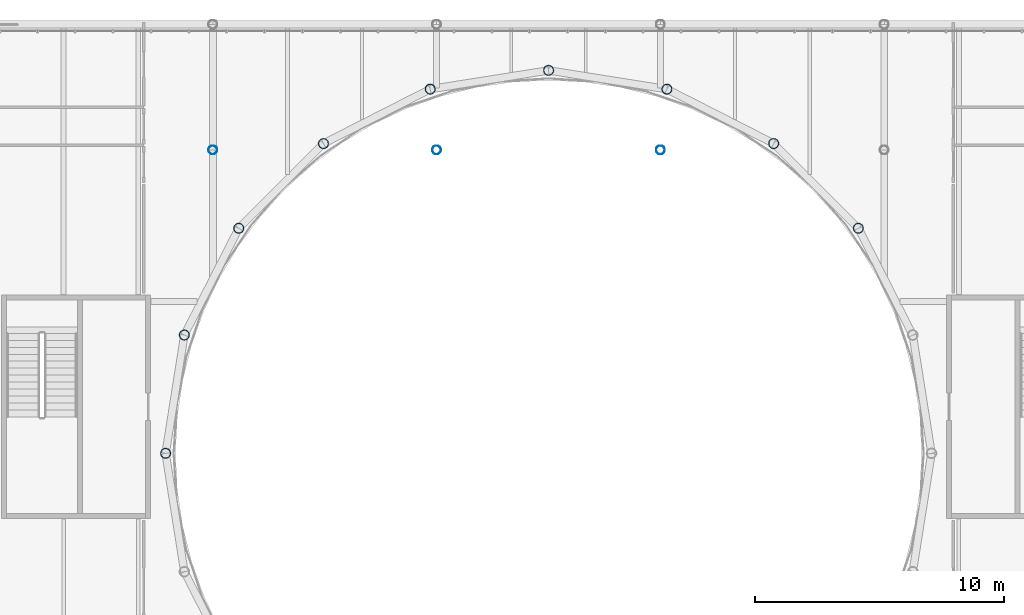
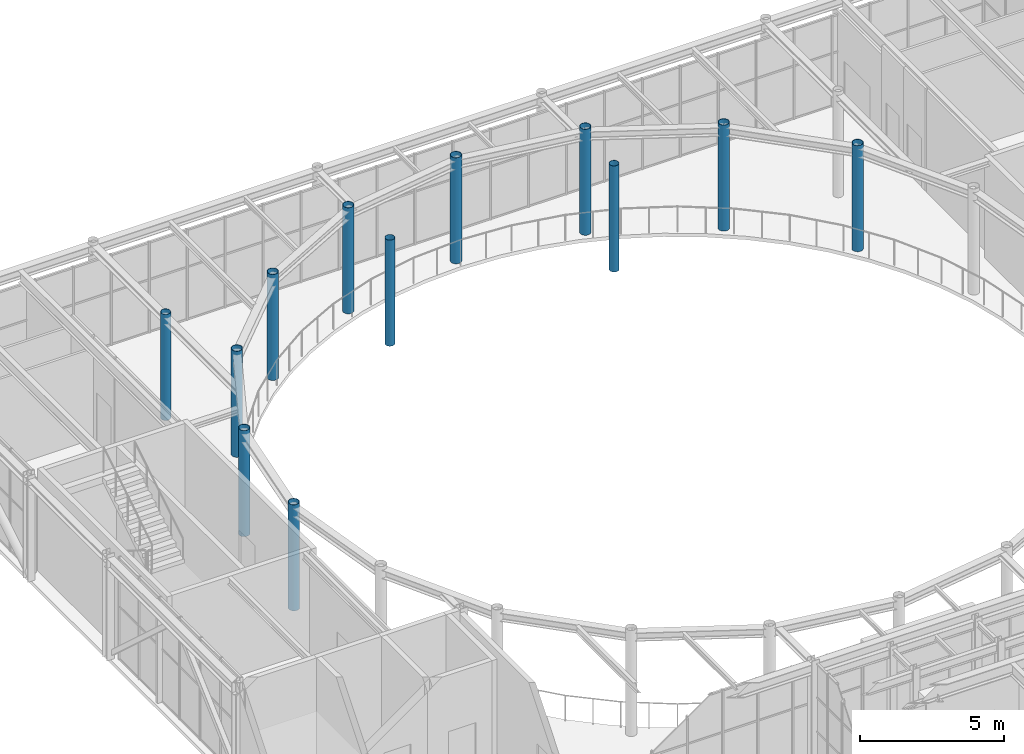
# One storey, part 11 of 111: 12 columns.
"""IFC4 building model written with IfcOpenShell, lengths in metres."""

from ifc_helpers import new_model, si_unit, direction, frame, origin, origin_2d, place, context, subcontext, project, spatial, hollow_circle, extrude, material, material_profile, profile_set, type_object, element, save


model = new_model("IFC4")

# Units and contexts
model_context = context("Model", 3, precision=1e-05, world=origin(), true_north=direction((0.0, 1.0)))
body_context = subcontext(model_context, "Body", "Model", "MODEL_VIEW")
ifc_project = project(units=[si_unit("LENGTHUNIT", "METRE"), si_unit("AREAUNIT", "SQUARE_METRE"), si_unit("VOLUMEUNIT", "CUBIC_METRE"), si_unit("PLANEANGLEUNIT", "RADIAN"), si_unit("MASSUNIT", "GRAM", prefix="KILO")], contexts=[model_context])

# Site, building, storey
site_placement = place(None, origin())
site = spatial("IfcSite", under=ifc_project, at=site_placement, CompositionType="ELEMENT")
building_placement = place(site_placement, origin())
building = spatial("IfcBuilding", under=site, at=building_placement, Name="Kallimachos Central Library", CompositionType="ELEMENT")
storey_placement = place(building_placement, frame((0.0, 0.0, 14.39990234375)))
storey = spatial("IfcBuildingStorey", under=building, at=storey_placement, Name="L03", CompositionType="ELEMENT", Elevation=14.39990234375)

# Columns
ifc_material_1 = material(Name="Steel S355J2H", Category="steel")
ifc_material_profile_1 = material_profile(ifc_material_1, hollow_circle(Radius=0.177734375, WallThickness=0.008056640625, at=origin_2d()), Name="CHS 355.6x8")
ifc_profile_set_1 = profile_set([ifc_material_profile_1], Name="Steel S355J2H")
column_type_1 = type_object("IfcColumnType", Name="CHS 355.6x8 column", PredefinedType="COLUMN", material=ifc_profile_set_1)
for number, where, z_axis, x_axis, name in (
    (1, (74.5, 116.60009765625, 0.0), (0.0, 0.0, 1.0), (1.0, 0.0, 0.0), "V1-COL-L03-042"),
    (2, (83.5, 116.60009765625, 0.0), (0.0, 0.0, 1.0), (1.0, 0.0, 0.0), "V1-COL-L03-043"),
    (3, (92.5, 116.60009765625, 0.0), (0.0, 0.0, 1.0), (1.0, 0.0, 0.0), "V1-COL-L03-044"),
):
    element("IfcColumn", number, at=place(storey_placement, frame(where, z_axis=z_axis, x_axis=x_axis)), inside=storey, type_object=column_type_1, Name=name, PredefinedType="COLUMN", context=body_context, shape_type="SweptSolid", body=[
        extrude(hollow_circle(Radius=0.177734375, WallThickness=0.008056640625, at=origin_2d()), origin(), (0.0, 0.0, 1.0), 4.5),
    ])
ifc_material_2 = material(Name="Steel S355J2H", Category="steel")
ifc_material_profile_2 = material_profile(ifc_material_2, hollow_circle(Radius=0.203125, WallThickness=0.01611328125, at=origin_2d()), Name="CHS 406.4x16")
ifc_profile_set_2 = profile_set([ifc_material_profile_2], Name="Steel S355J2H")
column_type_2 = type_object("IfcColumnType", Name="CHS 406.4x16 column", PredefinedType="COLUMN", material=ifc_profile_set_2)
for number, where, z_axis, x_axis, name in (
    (4, (100.458984375, 113.451904296875, 0.0), (0.0, 0.0, 1.0), (1.0, 0.0, 0.0), "V1-COL-L03-017"),
    (5, (97.052001953125, 116.85888671875, 0.0), (0.0, 0.0, 1.0), (1.0, 0.0, 0.0), "V1-COL-L03-018"),
    (6, (92.7587890625, 119.04638671875, 0.0), (0.0, 0.0, 1.0), (1.0, 0.0, 0.0), "V1-COL-L03-019"),
    (7, (88.0, 119.800048828125, 0.0), (0.0, 0.0, 1.0), (1.0, 0.0, 0.0), "V1-COL-L03-020"),
    (8, (83.2412109375, 119.04638671875, 0.0), (0.0, 0.0, 1.0), (1.0, 0.0, 0.0), "V1-COL-L03-021"),
    (9, (78.947998046875, 116.85888671875, 0.0), (0.0, 0.0, 1.0), (1.0, 0.0, 0.0), "V1-COL-L03-022"),
    (10, (75.541015625, 113.451904296875, 0.0), (0.0, 0.0, 1.0), (1.0, 0.0, 0.0), "V1-COL-L03-023"),
    (11, (73.353759765625, 109.158935546875, 0.0), (0.0, 0.0, 1.0), (1.0, 0.0, 0.0), "V1-COL-L03-024"),
    (12, (72.60009765625, 104.39990234375, 0.0), (0.0, 0.0, 1.0), (1.0, 0.0, 0.0), "V1-COL-L03-025"),
):
    element("IfcColumn", number, at=place(storey_placement, frame(where, z_axis=z_axis, x_axis=x_axis)), inside=storey, type_object=column_type_2, Name=name, PredefinedType="COLUMN", context=body_context, shape_type="SweptSolid", body=[
        extrude(hollow_circle(Radius=0.203125, WallThickness=0.01611328125, at=origin_2d()), origin(), (0.0, 0.0, 1.0), 4.5),
    ])

save(model, "model.ifc")
